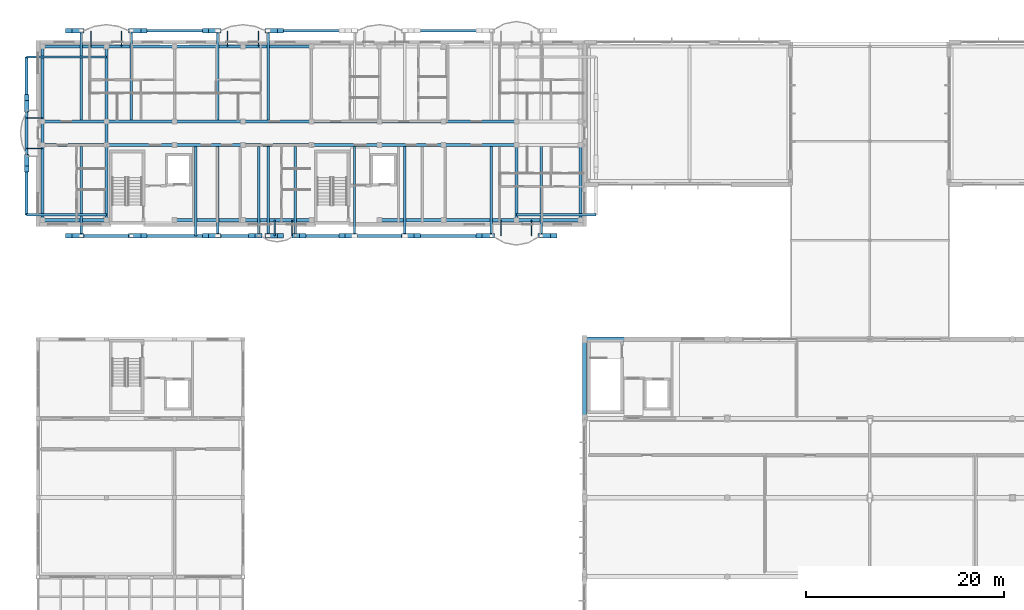
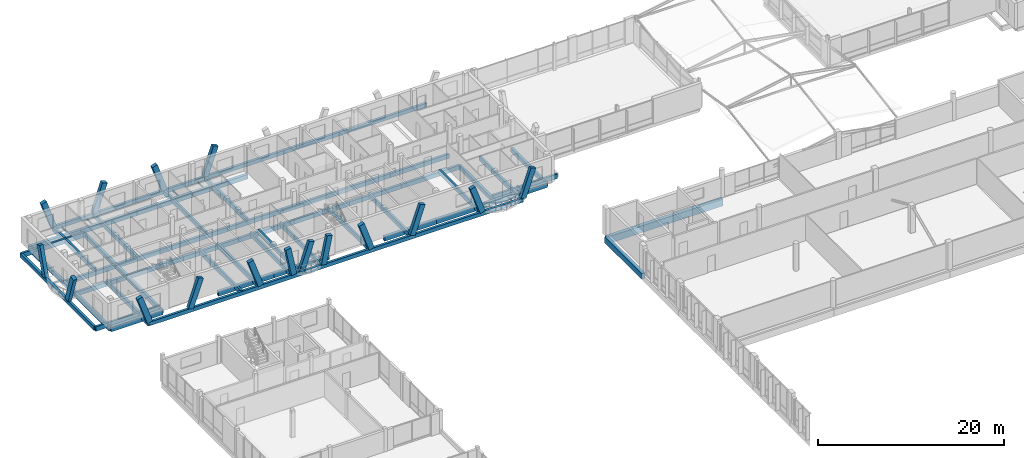
# One storey, part 77 of 189: 64 beams, 16 members.
"""IFC4 building model written with IfcOpenShell, lengths in metres."""

from ifc_helpers import new_model, si_unit, direction, frame, origin, origin_2d, place, context, subcontext, project, spatial, rectangle, i_section, extrude, material, material_profile, profile_set, type_object, element, save


model = new_model("IFC4")

# Units and contexts
model_context = context("Model", 3, precision=1e-05, world=origin(), true_north=direction((0.0, 1.0)))
body_context = subcontext(model_context, "Body", "Model", "MODEL_VIEW")
ifc_project = project(units=[si_unit("LENGTHUNIT", "METRE"), si_unit("AREAUNIT", "SQUARE_METRE"), si_unit("VOLUMEUNIT", "CUBIC_METRE"), si_unit("PLANEANGLEUNIT", "RADIAN"), si_unit("MASSUNIT", "GRAM", prefix="KILO")], contexts=[model_context])

# Site, building, storey
site_placement = place(None, origin())
site = spatial("IfcSite", under=ifc_project, at=site_placement, CompositionType="ELEMENT")
building_placement = place(site_placement, origin())
building = spatial("IfcBuilding", under=site, at=building_placement, Name="Zavelmont Quarter", CompositionType="ELEMENT")
storey_placement = place(building_placement, frame((0.0, 0.0, 4.39990234375)))
storey = spatial("IfcBuildingStorey", under=building, at=storey_placement, Name="L01", CompositionType="ELEMENT", Elevation=4.39990234375)

# Beams
ifc_material_1 = material(Name="Concrete C35/45", Category="concrete")
ifc_material_profile_1 = material_profile(ifc_material_1, rectangle(XDim=0.35009765625, YDim=0.60009765625, at=origin_2d()), Name="RC350X600")
ifc_profile_set_1 = profile_set([ifc_material_profile_1], Name="Concrete C35/45")
beam_type_1 = type_object("IfcBeamType", Name="BM01", PredefinedType="SPANDREL", material=ifc_profile_set_1)
beam_1_placement = place(storey_placement, frame((0.43994140625, 98.0400390625, -0.579833984375), z_axis=(1.0, 0.0, 0.0), x_axis=(0.0, 1.0, 0.0)))
element("IfcBeam", 1, at=beam_1_placement, inside=storey, type_object=beam_type_1, Name="L01 beam BM01 1/P to 2/P", PredefinedType="SPANDREL", context=body_context, shape_type="SweptSolid", body=[
    extrude(rectangle(XDim=0.35009765625, YDim=0.60009765625, at=origin_2d()), origin(), (0.0, 0.0, 1.0), 6.4599609375),
])
beam_2_placement = place(storey_placement, frame((13.800048828125, 98.0400390625, -0.579833984375), z_axis=(1.0, 0.0, 0.0), x_axis=(0.0, 1.0, 0.0)))
element("IfcBeam", 2, at=beam_2_placement, inside=storey, type_object=beam_type_1, Name="L01 beam BM01 3/P to 4/P", PredefinedType="SPANDREL", context=body_context, shape_type="SweptSolid", body=[
    extrude(rectangle(XDim=0.35009765625, YDim=0.60009765625, at=origin_2d()), origin(), (0.0, 0.0, 1.0), 6.89990234375),
])
beam_3_placement = place(storey_placement, frame((20.699951171875, 98.0400390625, -0.579833984375), z_axis=(1.0, 0.0, 0.0), x_axis=(0.0, 1.0, 0.0)))
element("IfcBeam", 3, at=beam_3_placement, inside=storey, type_object=beam_type_1, Name="L01 beam BM01 4/P to 5/P", PredefinedType="SPANDREL", context=body_context, shape_type="SweptSolid", body=[
    extrude(rectangle(XDim=0.35009765625, YDim=0.60009765625, at=origin_2d()), origin(), (0.0, 0.0, 1.0), 6.900146484375),
])
beam_4_placement = place(storey_placement, frame((34.5, 98.0400390625, -0.579833984375), z_axis=(1.0, 0.0, 0.0), x_axis=(0.0, 1.0, 0.0)))
element("IfcBeam", 4, at=beam_4_placement, inside=storey, type_object=beam_type_1, Name="L01 beam BM01 6/P to 7/P", PredefinedType="SPANDREL", context=body_context, shape_type="SweptSolid", body=[
    extrude(rectangle(XDim=0.35009765625, YDim=0.60009765625, at=origin_2d()), origin(), (0.0, 0.0, 1.0), 6.4599609375),
])
beam_5_placement = place(storey_placement, frame((40.9599609375, 98.0400390625, -0.579833984375), z_axis=(1.0, 0.0, 0.0), x_axis=(0.0, 1.0, 0.0)))
element("IfcBeam", 5, at=beam_5_placement, inside=storey, type_object=beam_type_1, Name="L01 beam BM01 7/P to 8/P", PredefinedType="SPANDREL", context=body_context, shape_type="SweptSolid", body=[
    extrude(rectangle(XDim=0.35009765625, YDim=0.60009765625, at=origin_2d()), origin(), (0.0, 0.0, 1.0), 7.340087890625),
])
for number, where, z_axis, x_axis, name in (
    (6, (48.300048828125, 98.0400390625, -0.579833984375), (1.0, 0.0, 0.0), (0.0, 1.0, 0.0), "L01 beam BM01 8/P to 9/P"),
    (7, (0.43994140625, 115.56005859375, -0.579833984375), (1.0, 0.0, 0.0), (0.0, 1.0, 0.0), "L01 beam BM01 1/S to 2/S"),
):
    element("IfcBeam", number, at=place(storey_placement, frame(where, z_axis=z_axis, x_axis=x_axis)), inside=storey, type_object=beam_type_1, Name=name, PredefinedType="SPANDREL", context=body_context, shape_type="SweptSolid", body=[
        extrude(rectangle(XDim=0.35009765625, YDim=0.60009765625, at=origin_2d()), origin(), (0.0, 0.0, 1.0), 6.4599609375),
    ])
beam_6_placement = place(storey_placement, frame((6.89990234375, 115.56005859375, -0.579833984375), z_axis=(1.0, 0.0, 0.0), x_axis=(0.0, 1.0, 0.0)))
element("IfcBeam", 8, at=beam_6_placement, inside=storey, type_object=beam_type_1, Name="L01 beam BM01 2/S to 3/S", PredefinedType="SPANDREL", context=body_context, shape_type="SweptSolid", body=[
    extrude(rectangle(XDim=0.35009765625, YDim=0.60009765625, at=origin_2d()), origin(), (0.0, 0.0, 1.0), 6.900146484375),
])
beam_7_placement = place(storey_placement, frame((13.800048828125, 115.56005859375, -0.579833984375), z_axis=(1.0, 0.0, 0.0), x_axis=(0.0, 1.0, 0.0)))
element("IfcBeam", 9, at=beam_7_placement, inside=storey, type_object=beam_type_1, Name="L01 beam BM01 3/S to 4/S", PredefinedType="SPANDREL", context=body_context, shape_type="SweptSolid", body=[
    extrude(rectangle(XDim=0.35009765625, YDim=0.60009765625, at=origin_2d()), origin(), (0.0, 0.0, 1.0), 6.89990234375),
])
beam_8_placement = place(storey_placement, frame((20.699951171875, 115.56005859375, -0.579833984375), z_axis=(1.0, 0.0, 0.0), x_axis=(0.0, 1.0, 0.0)))
element("IfcBeam", 10, at=beam_8_placement, inside=storey, type_object=beam_type_1, Name="L01 beam BM01 4/S to 5/S", PredefinedType="SPANDREL", context=body_context, shape_type="SweptSolid", body=[
    extrude(rectangle(XDim=0.35009765625, YDim=0.60009765625, at=origin_2d()), origin(), (0.0, 0.0, 1.0), 6.900146484375),
])
ifc_material_profile_2 = material_profile(ifc_material_1, rectangle(XDim=0.300048828125, YDim=0.550048828125, at=origin_2d()), Name="RC300X550")
ifc_profile_set_2 = profile_set([ifc_material_profile_2], Name="Concrete C35/45")
beam_type_2 = type_object("IfcBeamType", Name="BM02", PredefinedType="SPANDREL", material=ifc_profile_set_2)
beam_9_placement = place(storey_placement, frame((0.43994140625, 105.60009765625, -0.554931640625), z_axis=(1.0, 0.0, 0.0), x_axis=(0.0, 1.0, 0.0)))
element("IfcBeam", 11, at=beam_9_placement, inside=storey, type_object=beam_type_2, Name="L01 beam BM02 1/Q to 2/Q", PredefinedType="SPANDREL", context=body_context, shape_type="SweptSolid", body=[
    extrude(rectangle(XDim=0.300048828125, YDim=0.550048828125, at=origin_2d()), origin(), (0.0, 0.0, 1.0), 6.4599609375),
])
beam_10_placement = place(storey_placement, frame((6.89990234375, 105.60009765625, -0.554931640625), z_axis=(1.0, 0.0, 0.0), x_axis=(0.0, 1.0, 0.0)))
element("IfcBeam", 12, at=beam_10_placement, inside=storey, type_object=beam_type_2, Name="L01 beam BM02 2/Q to 3/Q", PredefinedType="SPANDREL", context=body_context, shape_type="SweptSolid", body=[
    extrude(rectangle(XDim=0.300048828125, YDim=0.550048828125, at=origin_2d()), origin(), (0.0, 0.0, 1.0), 6.900146484375),
])
beam_11_placement = place(storey_placement, frame((13.800048828125, 105.60009765625, -0.554931640625), z_axis=(1.0, 0.0, 0.0), x_axis=(0.0, 1.0, 0.0)))
element("IfcBeam", 13, at=beam_11_placement, inside=storey, type_object=beam_type_2, Name="L01 beam BM02 3/Q to 4/Q", PredefinedType="SPANDREL", context=body_context, shape_type="SweptSolid", body=[
    extrude(rectangle(XDim=0.300048828125, YDim=0.550048828125, at=origin_2d()), origin(), (0.0, 0.0, 1.0), 6.89990234375),
])
beam_12_placement = place(storey_placement, frame((20.699951171875, 105.60009765625, -0.554931640625), z_axis=(1.0, 0.0, 0.0), x_axis=(0.0, 1.0, 0.0)))
element("IfcBeam", 14, at=beam_12_placement, inside=storey, type_object=beam_type_2, Name="L01 beam BM02 4/Q to 5/Q", PredefinedType="SPANDREL", context=body_context, shape_type="SweptSolid", body=[
    extrude(rectangle(XDim=0.300048828125, YDim=0.550048828125, at=origin_2d()), origin(), (0.0, 0.0, 1.0), 6.900146484375),
])
beam_13_placement = place(storey_placement, frame((27.60009765625, 105.60009765625, -0.554931640625), z_axis=(1.0, 0.0, 0.0), x_axis=(0.0, 1.0, 0.0)))
element("IfcBeam", 15, at=beam_13_placement, inside=storey, type_object=beam_type_2, Name="L01 beam BM02 5/Q to 6/Q", PredefinedType="SPANDREL", context=body_context, shape_type="SweptSolid", body=[
    extrude(rectangle(XDim=0.300048828125, YDim=0.550048828125, at=origin_2d()), origin(), (0.0, 0.0, 1.0), 6.89990234375),
])
beam_14_placement = place(storey_placement, frame((34.5, 105.60009765625, -0.554931640625), z_axis=(1.0, 0.0, 0.0), x_axis=(0.0, 1.0, 0.0)))
element("IfcBeam", 16, at=beam_14_placement, inside=storey, type_object=beam_type_2, Name="L01 beam BM02 6/Q to 7/Q", PredefinedType="SPANDREL", context=body_context, shape_type="SweptSolid", body=[
    extrude(rectangle(XDim=0.300048828125, YDim=0.550048828125, at=origin_2d()), origin(), (0.0, 0.0, 1.0), 6.4599609375),
])
beam_15_placement = place(storey_placement, frame((40.9599609375, 105.60009765625, -0.554931640625), z_axis=(1.0, 0.0, 0.0), x_axis=(0.0, 1.0, 0.0)))
element("IfcBeam", 17, at=beam_15_placement, inside=storey, type_object=beam_type_2, Name="L01 beam BM02 7/Q to 8/Q", PredefinedType="SPANDREL", context=body_context, shape_type="SweptSolid", body=[
    extrude(rectangle(XDim=0.300048828125, YDim=0.550048828125, at=origin_2d()), origin(), (0.0, 0.0, 1.0), 7.340087890625),
])
beam_16_placement = place(storey_placement, frame((0.43994140625, 108.0, -0.554931640625), z_axis=(1.0, 0.0, 0.0), x_axis=(0.0, 1.0, 0.0)))
element("IfcBeam", 18, at=beam_16_placement, inside=storey, type_object=beam_type_2, Name="L01 beam BM02 1/R to 2/R", PredefinedType="SPANDREL", context=body_context, shape_type="SweptSolid", body=[
    extrude(rectangle(XDim=0.300048828125, YDim=0.550048828125, at=origin_2d()), origin(), (0.0, 0.0, 1.0), 6.4599609375),
])
beam_17_placement = place(storey_placement, frame((6.89990234375, 108.0, -0.554931640625), z_axis=(1.0, 0.0, 0.0), x_axis=(0.0, 1.0, 0.0)))
element("IfcBeam", 19, at=beam_17_placement, inside=storey, type_object=beam_type_2, Name="L01 beam BM02 2/R to 3/R", PredefinedType="SPANDREL", context=body_context, shape_type="SweptSolid", body=[
    extrude(rectangle(XDim=0.300048828125, YDim=0.550048828125, at=origin_2d()), origin(), (0.0, 0.0, 1.0), 6.900146484375),
])
beam_18_placement = place(storey_placement, frame((13.800048828125, 108.0, -0.554931640625), z_axis=(1.0, 0.0, 0.0), x_axis=(0.0, 1.0, 0.0)))
element("IfcBeam", 20, at=beam_18_placement, inside=storey, type_object=beam_type_2, Name="L01 beam BM02 3/R to 4/R", PredefinedType="SPANDREL", context=body_context, shape_type="SweptSolid", body=[
    extrude(rectangle(XDim=0.300048828125, YDim=0.550048828125, at=origin_2d()), origin(), (0.0, 0.0, 1.0), 6.89990234375),
])
beam_19_placement = place(storey_placement, frame((20.699951171875, 108.0, -0.554931640625), z_axis=(1.0, 0.0, 0.0), x_axis=(0.0, 1.0, 0.0)))
element("IfcBeam", 21, at=beam_19_placement, inside=storey, type_object=beam_type_2, Name="L01 beam BM02 4/R to 5/R", PredefinedType="SPANDREL", context=body_context, shape_type="SweptSolid", body=[
    extrude(rectangle(XDim=0.300048828125, YDim=0.550048828125, at=origin_2d()), origin(), (0.0, 0.0, 1.0), 6.900146484375),
])
beam_20_placement = place(storey_placement, frame((27.60009765625, 108.0, -0.554931640625), z_axis=(1.0, 0.0, 0.0), x_axis=(0.0, 1.0, 0.0)))
element("IfcBeam", 22, at=beam_20_placement, inside=storey, type_object=beam_type_2, Name="L01 beam BM02 5/R to 6/R", PredefinedType="SPANDREL", context=body_context, shape_type="SweptSolid", body=[
    extrude(rectangle(XDim=0.300048828125, YDim=0.550048828125, at=origin_2d()), origin(), (0.0, 0.0, 1.0), 6.89990234375),
])
beam_21_placement = place(storey_placement, frame((34.5, 108.0, -0.554931640625), z_axis=(1.0, 0.0, 0.0), x_axis=(0.0, 1.0, 0.0)))
element("IfcBeam", 23, at=beam_21_placement, inside=storey, type_object=beam_type_2, Name="L01 beam BM02 6/R to 7/R", PredefinedType="SPANDREL", context=body_context, shape_type="SweptSolid", body=[
    extrude(rectangle(XDim=0.300048828125, YDim=0.550048828125, at=origin_2d()), origin(), (0.0, 0.0, 1.0), 6.4599609375),
])
beam_22_placement = place(storey_placement, frame((40.9599609375, 108.0, -0.554931640625), z_axis=(1.0, 0.0, 0.0), x_axis=(0.0, 1.0, 0.0)))
element("IfcBeam", 24, at=beam_22_placement, inside=storey, type_object=beam_type_2, Name="L01 beam BM02 7/R to 8/R", PredefinedType="SPANDREL", context=body_context, shape_type="SweptSolid", body=[
    extrude(rectangle(XDim=0.300048828125, YDim=0.550048828125, at=origin_2d()), origin(), (0.0, 0.0, 1.0), 7.340087890625),
])
beam_23_placement = place(storey_placement, frame((0.43994140625, 98.0400390625, -0.554931640625), z_axis=(0.0, 1.0, 0.0), x_axis=(-1.0, 0.0, 0.0)))
element("IfcBeam", 25, at=beam_23_placement, inside=storey, type_object=beam_type_2, Name="L01 beam BM02 1/P to 1/Q", PredefinedType="SPANDREL", context=body_context, shape_type="SweptSolid", body=[
    extrude(rectangle(XDim=0.300048828125, YDim=0.550048828125, at=origin_2d()), origin(), (0.0, 0.0, 1.0), 7.56005859375),
])
beam_24_placement = place(storey_placement, frame((0.43994140625, 105.60009765625, -0.554931640625), z_axis=(0.0, 1.0, 0.0), x_axis=(-1.0, 0.0, 0.0)))
element("IfcBeam", 26, at=beam_24_placement, inside=storey, type_object=beam_type_2, Name="L01 beam BM02 1/Q to 1/R", PredefinedType="SPANDREL", context=body_context, shape_type="SweptSolid", body=[
    extrude(rectangle(XDim=0.300048828125, YDim=0.550048828125, at=origin_2d()), origin(), (0.0, 0.0, 1.0), 2.39990234375),
])
for number, where, z_axis, x_axis, name in (
    (27, (0.43994140625, 108.0, -0.554931640625), (0.0, 1.0, 0.0), (-1.0, 0.0, 0.0), "L01 beam BM02 1/R to 1/S"),
    (28, (6.89990234375, 98.0400390625, -0.554931640625), (0.0, 1.0, 0.0), (-1.0, 0.0, 0.0), "L01 beam BM02 2/P to 2/Q"),
):
    element("IfcBeam", number, at=place(storey_placement, frame(where, z_axis=z_axis, x_axis=x_axis)), inside=storey, type_object=beam_type_2, Name=name, PredefinedType="SPANDREL", context=body_context, shape_type="SweptSolid", body=[
        extrude(rectangle(XDim=0.300048828125, YDim=0.550048828125, at=origin_2d()), origin(), (0.0, 0.0, 1.0), 7.56005859375),
    ])
beam_25_placement = place(storey_placement, frame((6.89990234375, 105.60009765625, -0.554931640625), z_axis=(0.0, 1.0, 0.0), x_axis=(-1.0, 0.0, 0.0)))
element("IfcBeam", 29, at=beam_25_placement, inside=storey, type_object=beam_type_2, Name="L01 beam BM02 2/Q to 2/R", PredefinedType="SPANDREL", context=body_context, shape_type="SweptSolid", body=[
    extrude(rectangle(XDim=0.300048828125, YDim=0.550048828125, at=origin_2d()), origin(), (0.0, 0.0, 1.0), 2.39990234375),
])
for number, where, z_axis, x_axis, name in (
    (30, (6.89990234375, 108.0, -0.554931640625), (0.0, 1.0, 0.0), (-1.0, 0.0, 0.0), "L01 beam BM02 2/R to 2/S"),
    (31, (48.300048828125, 98.0400390625, -0.554931640625), (0.0, 1.0, 0.0), (-1.0, 0.0, 0.0), "L01 beam BM02 8/P to 8/Q"),
    (32, (54.760009765625, 98.0400390625, -0.554931640625), (0.0, 1.0, 0.0), (-1.0, 0.0, 0.0), "L01 beam BM02 9/P to 9/Q"),
):
    element("IfcBeam", number, at=place(storey_placement, frame(where, z_axis=z_axis, x_axis=x_axis)), inside=storey, type_object=beam_type_2, Name=name, PredefinedType="SPANDREL", context=body_context, shape_type="SweptSolid", body=[
        extrude(rectangle(XDim=0.300048828125, YDim=0.550048828125, at=origin_2d()), origin(), (0.0, 0.0, 1.0), 7.56005859375),
    ])
ifc_material_profile_3 = material_profile(ifc_material_1, rectangle(XDim=0.300048828125, YDim=0.5, at=origin_2d()), Name="RC300X500")
ifc_profile_set_3 = profile_set([ifc_material_profile_3], Name="Concrete C35/45")
beam_type_3 = type_object("IfcBeamType", Name="BM03", PredefinedType="BEAM", material=ifc_profile_set_3)
for number, where, z_axis, x_axis, name in (
    (33, (4.361083984375, 117.14990234375, -0.25), (1.0, 0.0, 0.0), (0.0, 1.0, 0.0), "L01 beam BM03 2/S to 8/S"),
    (34, (4.361083984375, 96.449951171875, -0.25), (1.0, 0.0, 0.0), (0.0, 1.0, 0.0), "L01 beam BM03 2/P to 8/P"),
):
    element("IfcBeam", number, at=place(storey_placement, frame(where, z_axis=z_axis, x_axis=x_axis)), inside=storey, type_object=beam_type_3, Name=name, PredefinedType="BEAM", context=body_context, shape_type="SweptSolid", body=[
        extrude(rectangle(XDim=0.300048828125, YDim=0.5, at=origin_2d()), origin(), (0.0, 0.0, 1.0), 46.4658203125),
    ])
beam_26_placement = place(storey_placement, frame((-1.14990234375, 98.550048828125, -0.25), z_axis=(0.0, 1.0, 0.0), x_axis=(-1.0, 0.0, 0.0)))
element("IfcBeam", 35, at=beam_26_placement, inside=storey, type_object=beam_type_3, Name="L01 beam BM03 1/P to 1/S", PredefinedType="BEAM", context=body_context, shape_type="SweptSolid", body=[
    extrude(rectangle(XDim=0.300048828125, YDim=0.5, at=origin_2d()), origin(), (0.0, 0.0, 1.0), 15.949951171875),
])
ifc_material_2 = material(Name="Concrete C40/50", Category="concrete")
ifc_material_profile_4 = material_profile(ifc_material_2, rectangle(XDim=0.39990234375, YDim=0.75, at=origin_2d()), Name="RC400X750")
ifc_profile_set_4 = profile_set([ifc_material_profile_4], Name="Concrete C40/50")
beam_type_4 = type_object("IfcBeamType", Name="BM05", PredefinedType="BEAM", material=ifc_profile_set_4)
beam_27_placement = place(storey_placement, frame((55.199951171875, 78.0, -0.65478515625), z_axis=(0.0, 1.0, 0.0), x_axis=(-1.0, 0.0, 0.0)))
element("IfcBeam", 36, at=beam_27_placement, inside=storey, type_object=beam_type_4, Name="L01 beam BM05 9/M to 9/N", PredefinedType="BEAM", context=body_context, shape_type="SweptSolid", body=[
    extrude(rectangle(XDim=0.39990234375, YDim=0.75, at=origin_2d()), origin(), (0.0, 0.0, 1.0), 8.0),
])
ifc_material_profile_5 = material_profile(ifc_material_2, rectangle(XDim=0.449951171875, YDim=0.89990234375, at=origin_2d()), Name="RC450X900")
ifc_profile_set_5 = profile_set([ifc_material_profile_5], Name="Concrete C40/50")
beam_type_5 = type_object("IfcBeamType", Name="BM06", PredefinedType="BEAM", material=ifc_profile_set_5)
beam_28_placement = place(storey_placement, frame((55.199951171875, 86.0, -0.72998046875), z_axis=(1.0, 0.0, 0.0), x_axis=(0.0, 1.0, 0.0)))
element("IfcBeam", 37, at=beam_28_placement, inside=storey, type_object=beam_type_5, Name="L01 beam BM06 9/N to 11/N", PredefinedType="BEAM", context=body_context, shape_type="SweptSolid", body=[
    extrude(rectangle(XDim=0.449951171875, YDim=0.89990234375, at=origin_2d()), origin(), (0.0, 0.0, 1.0), 14.400146484375),
])
ifc_material_3 = material(Name="Steel S355", Category="steel")
ifc_material_profile_6 = material_profile(ifc_material_3, i_section(OverallWidth=0.110107421875, OverallDepth=0.219970703125, WebThickness=0.005859375, FlangeThickness=0.00927734375, at=origin_2d()), Name="IPE 220")
ifc_profile_set_6 = profile_set([ifc_material_profile_6], Name="Steel S355")
beam_type_6 = type_object("IfcBeamType", Name="BM15", PredefinedType="JOIST", material=ifc_profile_set_6)
for number, where, z_axis, x_axis, name in (
    (38, (5.35009765625, 115.56005859375, -0.391845703125), (0.0, 1.0, 0.0), (-1.0, 0.0, 0.0), "L01 beam BM15 2/S to 2/S"),
    (39, (8.449951171875, 115.56005859375, -0.391845703125), (0.0, 1.0, 0.0), (-1.0, 0.0, 0.0), "L01 beam BM15 2/S to 2/S"),
    (40, (19.14990234375, 115.56005859375, -0.391845703125), (0.0, 1.0, 0.0), (-1.0, 0.0, 0.0), "L01 beam BM15 4/S to 4/S"),
    (41, (22.25, 115.56005859375, -0.391845703125), (0.0, 1.0, 0.0), (-1.0, 0.0, 0.0), "L01 beam BM15 4/S to 4/S"),
    (42, (0.43994140625, 105.25, -0.391845703125), (-1.0, 0.0, 0.0), (0.0, -1.0, 0.0), "L01 beam BM15 1/Q to 1/Q"),
    (43, (0.43994140625, 108.35009765625, -0.391845703125), (-1.0, 0.0, 0.0), (0.0, -1.0, 0.0), "L01 beam BM15 1/R to 1/R"),
):
    element("IfcBeam", number, at=place(storey_placement, frame(where, z_axis=z_axis, x_axis=x_axis)), inside=storey, type_object=beam_type_6, Name=name, PredefinedType="JOIST", context=body_context, shape_type="SweptSolid", body=[
        extrude(i_section(OverallWidth=0.110107421875, OverallDepth=0.219970703125, WebThickness=0.005859375, FlangeThickness=0.00927734375, at=origin_2d()), origin(), (0.0, 0.0, 1.0), 1.58984375),
    ])
for number, where, z_axis, x_axis, name in (
    (44, (46.75, 98.0400390625, -0.391845703125), (0.0, -1.0, 0.0), (1.0, 0.0, 0.0), "L01 beam BM15 8/P to 8/P"),
    (45, (49.85009765625, 98.0400390625, -0.391845703125), (0.0, -1.0, 0.0), (1.0, 0.0, 0.0), "L01 beam BM15 8/P to 8/P"),
    (46, (23.90478515625, 98.0400390625, -0.391845703125), (0.0, -1.0, 0.0), (1.0, 0.0, 0.0), "L01 beam BM15 4/P to 4/P"),
    (47, (25.645263671875, 98.0400390625, -0.391845703125), (0.0, -1.0, 0.0), (1.0, 0.0, 0.0), "L01 beam BM15 5/P to 5/P"),
):
    element("IfcBeam", number, at=place(storey_placement, frame(where, z_axis=z_axis, x_axis=x_axis)), inside=storey, type_object=beam_type_6, Name=name, PredefinedType="JOIST", context=body_context, shape_type="SweptSolid", body=[
        extrude(i_section(OverallWidth=0.110107421875, OverallDepth=0.219970703125, WebThickness=0.005859375, FlangeThickness=0.00927734375, at=origin_2d()), origin(), (0.0, 0.0, 1.0), 1.590087890625),
    ])
ifc_material_profile_7 = material_profile(ifc_material_2, rectangle(XDim=0.25, YDim=0.60009765625, at=origin_2d()), Name="RC250X600")
ifc_profile_set_7 = profile_set([ifc_material_profile_7], Name="Concrete C40/50")
beam_type_7 = type_object("IfcBeamType", Name="BM18", PredefinedType="BEAM", material=ifc_profile_set_7)
for number, where, z_axis, x_axis, name in (
    (48, (4.36083984375, 108.0, -0.2998046875), (0.0, 1.0, 0.0), (-1.0, 0.0, 0.0), "L01 beam BM18 2/R to 2/S"),
    (49, (9.439208984375, 108.0, -0.2998046875), (0.0, 1.0, 0.0), (-1.0, 0.0, 0.0), "L01 beam BM18 2/R to 2/S"),
    (50, (18.160888671875, 108.0, -0.2998046875), (0.0, 1.0, 0.0), (-1.0, 0.0, 0.0), "L01 beam BM18 4/R to 4/S"),
    (51, (23.2392578125, 108.0, -0.2998046875), (0.0, 1.0, 0.0), (-1.0, 0.0, 0.0), "L01 beam BM18 4/R to 4/S"),
):
    element("IfcBeam", number, at=place(storey_placement, frame(where, z_axis=z_axis, x_axis=x_axis)), inside=storey, type_object=beam_type_7, Name=name, PredefinedType="BEAM", context=body_context, shape_type="SweptSolid", body=[
        extrude(rectangle(XDim=0.25, YDim=0.60009765625, at=origin_2d()), origin(), (0.0, 0.0, 1.0), 9.14990234375),
    ])
for number, where, z_axis, x_axis, name in (
    (52, (4.36083984375, 105.60009765625, -0.2998046875), (0.0, -1.0, 0.0), (1.0, 0.0, 0.0), "L01 beam BM18 2/Q to 2/P"),
    (53, (15.925048828125, 105.60009765625, -0.2998046875), (0.0, -1.0, 0.0), (1.0, 0.0, 0.0), "L01 beam BM18 3/Q to 3/P"),
    (54, (18.160888671875, 105.60009765625, -0.2998046875), (0.0, -1.0, 0.0), (1.0, 0.0, 0.0), "L01 beam BM18 4/Q to 4/P"),
    (55, (23.2392578125, 105.60009765625, -0.2998046875), (0.0, -1.0, 0.0), (1.0, 0.0, 0.0), "L01 beam BM18 4/Q to 4/P"),
    (56, (31.960693359375, 105.60009765625, -0.2998046875), (0.0, -1.0, 0.0), (1.0, 0.0, 0.0), "L01 beam BM18 6/Q to 6/P"),
    (57, (37.039306640625, 105.60009765625, -0.2998046875), (0.0, -1.0, 0.0), (1.0, 0.0, 0.0), "L01 beam BM18 6/Q to 6/P"),
    (58, (45.773193359375, 105.60009765625, -0.2998046875), (0.0, -1.0, 0.0), (1.0, 0.0, 0.0), "L01 beam BM18 8/Q to 8/P"),
    (59, (50.82666015625, 105.60009765625, -0.2998046875), (0.0, -1.0, 0.0), (1.0, 0.0, 0.0), "L01 beam BM18 8/Q to 8/P"),
    (60, (22.3046875, 105.60009765625, -0.2998046875), (0.0, -1.0, 0.0), (1.0, 0.0, 0.0), "L01 beam BM18 4/Q to 4/P"),
    (61, (25.995361328125, 105.60009765625, -0.2998046875), (0.0, -1.0, 0.0), (1.0, 0.0, 0.0), "L01 beam BM18 5/Q to 5/P"),
):
    element("IfcBeam", number, at=place(storey_placement, frame(where, z_axis=z_axis, x_axis=x_axis)), inside=storey, type_object=beam_type_7, Name=name, PredefinedType="BEAM", context=body_context, shape_type="SweptSolid", body=[
        extrude(rectangle(XDim=0.25, YDim=0.60009765625, at=origin_2d()), origin(), (0.0, 0.0, 1.0), 9.150146484375),
    ])
for number, where, z_axis, x_axis, name in (
    (62, (6.89990234375, 98.550048828125, -0.2998046875), (-1.0, 0.0, 0.0), (0.0, -1.0, 0.0), "L01 beam BM18 2/P to 1/P"),
    (63, (6.89990234375, 114.5, -0.2998046875), (-1.0, 0.0, 0.0), (0.0, -1.0, 0.0), "L01 beam BM18 2/S to 1/S"),
):
    element("IfcBeam", number, at=place(storey_placement, frame(where, z_axis=z_axis, x_axis=x_axis)), inside=storey, type_object=beam_type_7, Name=name, PredefinedType="BEAM", context=body_context, shape_type="SweptSolid", body=[
        extrude(rectangle(XDim=0.25, YDim=0.60009765625, at=origin_2d()), origin(), (0.0, 0.0, 1.0), 8.0498046875),
    ])
beam_29_placement = place(storey_placement, frame((48.300048828125, 98.550048828125, -0.2998046875), z_axis=(1.0, 0.0, 0.0), x_axis=(0.0, 1.0, 0.0)))
element("IfcBeam", 64, at=beam_29_placement, inside=storey, type_object=beam_type_7, Name="L01 beam BM18 8/P to 9/P", PredefinedType="BEAM", context=body_context, shape_type="SweptSolid", body=[
    extrude(rectangle(XDim=0.25, YDim=0.60009765625, at=origin_2d()), origin(), (0.0, 0.0, 1.0), 8.050048828125),
])

# Members
ifc_material_4 = material(Name="White architectural precast concrete C40/50", Category="concrete")
ifc_material_profile_8 = material_profile(ifc_material_4, rectangle(XDim=0.43994140625, YDim=0.659912109375, at=origin_2d()), Name="PCR320X480")
ifc_profile_set_8 = profile_set([ifc_material_profile_8], Name="White architectural precast concrete C40/50")
member_type = type_object("IfcMemberType", Name="VR01M", PredefinedType="CHORD", material=ifc_profile_set_8)
for number, where, z_axis, x_axis, name in (
    (65, (4.36083984375, 117.14990234375, 0.0), (-0.329660187786, 0.0, 0.944099656069), (0.0, -1.0, 0.0), "L01 member VR01M 2/S to 1/S"),
    (66, (9.439208984375, 117.14990234375, 0.0), (0.329660187786, 0.0, 0.944099656069), (0.0, 1.0, 0.0), "L01 member VR01M 2/S to 3/S"),
    (67, (18.160888671875, 117.14990234375, 0.0), (-0.329660187786, 0.0, 0.944099656069), (0.0, -1.0, 0.0), "L01 member VR01M 4/S to 3/S"),
    (68, (23.2392578125, 117.14990234375, 0.0), (0.329603119736, 0.0, 0.944119581123), (0.0, 1.0, 0.0), "L01 member VR01M 4/S to 5/S"),
    (69, (4.36083984375, 96.449951171875, 0.0), (-0.329660187786, 0.0, 0.944099656069), (0.0, -1.0, 0.0), "L01 member VR01M 2/P to 1/P"),
    (70, (9.439208984375, 96.449951171875, 0.0), (0.329660187786, 0.0, 0.944099656069), (0.0, 1.0, 0.0), "L01 member VR01M 2/P to 3/P"),
    (71, (18.160888671875, 96.449951171875, 0.0), (-0.329660187786, 0.0, 0.944099656069), (0.0, -1.0, 0.0), "L01 member VR01M 4/P to 3/P"),
    (72, (23.2392578125, 96.449951171875, 0.0), (0.329603119736, 0.0, 0.944119581123), (0.0, 1.0, 0.0), "L01 member VR01M 4/P to 5/P"),
    (73, (31.960693359375, 96.449951171875, 0.0), (-0.329603119736, 0.0, 0.944119581123), (0.0, -1.0, 0.0), "L01 member VR01M 6/P to 5/P"),
    (74, (37.039306640625, 96.449951171875, 0.0), (0.329603119736, 0.0, 0.944119581123), (0.0, 1.0, 0.0), "L01 member VR01M 6/P to 7/P"),
):
    element("IfcMember", number, at=place(storey_placement, frame(where, z_axis=z_axis, x_axis=x_axis)), inside=storey, type_object=member_type, Name=name, PredefinedType="CHORD", context=body_context, shape_type="SweptSolid", body=[
        extrude(rectangle(XDim=0.43994140625, YDim=0.659912109375, at=origin_2d()), origin(), (0.0, 0.0, 1.0), 3.813232421875),
    ])
for number, where, z_axis, x_axis, name in (
    (75, (45.773193359375, 96.449951171875, 0.0), (-0.327431859499, 0.0, 0.944874794555), (0.0, -1.0, 0.0), "L01 member VR01M 8/P to 7/P"),
    (76, (50.82666015625, 96.449951171875, 0.0), (0.327431859499, 0.0, 0.944874794555), (0.0, 1.0, 0.0), "L01 member VR01M 8/P to 9/P"),
):
    element("IfcMember", number, at=place(storey_placement, frame(where, z_axis=z_axis, x_axis=x_axis)), inside=storey, type_object=member_type, Name=name, PredefinedType="CHORD", context=body_context, shape_type="SweptSolid", body=[
        extrude(rectangle(XDim=0.43994140625, YDim=0.659912109375, at=origin_2d()), origin(), (0.0, 0.0, 1.0), 3.81005859375),
    ])
for number, where, z_axis, x_axis, name in (
    (77, (22.3046875, 96.449951171875, 0.0), (-0.199297253975, 0.0, 0.979939082065), (0.0, -1.0, 0.0), "L01 member VR01M 4/P to 4/P"),
    (78, (25.995361328125, 96.449951171875, 0.0), (0.199297253975, 0.0, 0.979939082065), (0.0, 1.0, 0.0), "L01 member VR01M 5/P to 5/P"),
):
    element("IfcMember", number, at=place(storey_placement, frame(where, z_axis=z_axis, x_axis=x_axis)), inside=storey, type_object=member_type, Name=name, PredefinedType="CHORD", context=body_context, shape_type="SweptSolid", body=[
        extrude(rectangle(XDim=0.43994140625, YDim=0.659912109375, at=origin_2d()), origin(), (0.0, 0.0, 1.0), 3.673828125),
    ])
for number, where, z_axis, x_axis, name in (
    (79, (-1.14990234375, 104.36328125, 0.0), (0.0, -0.311681338214, 0.950186688714), (1.0, 0.0, 0.0), "L01 member VR01M 1/Q to 1/Q"),
    (80, (-1.14990234375, 109.23681640625, 0.0), (0.0, 0.311623159291, 0.950205770659), (-1.0, 0.0, 0.0), "L01 member VR01M 1/R to 1/R"),
):
    element("IfcMember", number, at=place(storey_placement, frame(where, z_axis=z_axis, x_axis=x_axis)), inside=storey, type_object=member_type, Name=name, PredefinedType="CHORD", context=body_context, shape_type="SweptSolid", body=[
        extrude(rectangle(XDim=0.43994140625, YDim=0.659912109375, at=origin_2d()), origin(), (0.0, 0.0, 1.0), 3.788818359375),
    ])

save(model, "model.ifc")
